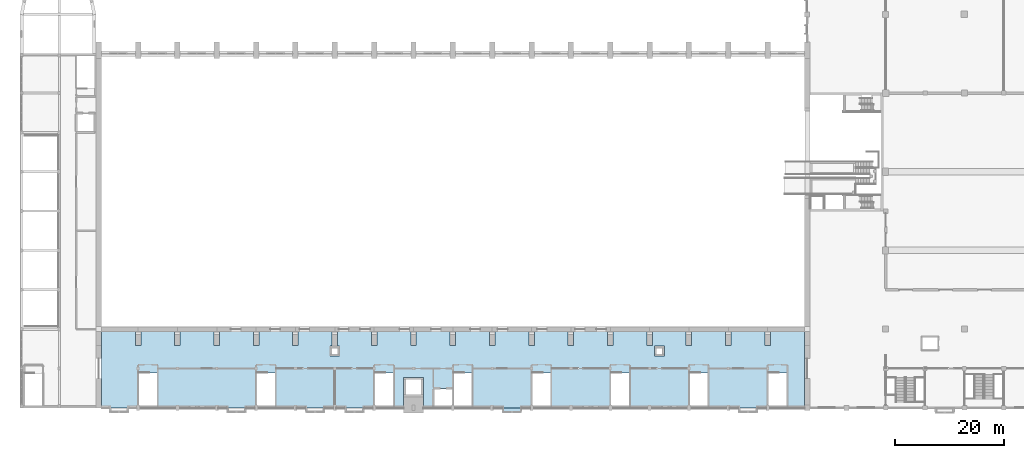
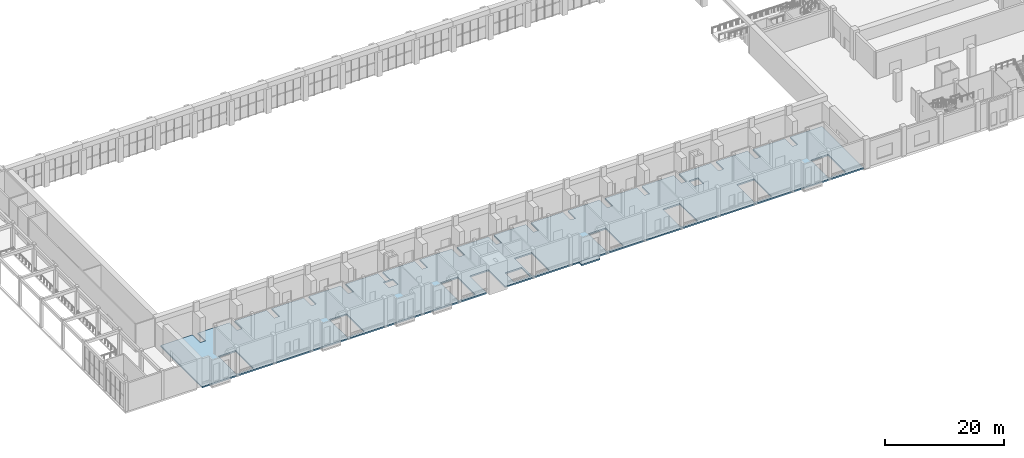
# One storey, part 20 of 44: 2 slabs.
"""IFC4 building model written with IfcOpenShell, lengths in metres."""

from ifc_helpers import new_model, si_unit, direction, frame, origin, place, context, subcontext, project, spatial, polyline, outline, extrude, material, layer, layer_set, type_object, element, save


model = new_model("IFC4")

# Units and contexts
model_context = context("Model", 3, precision=1e-05, world=origin(), true_north=direction((0.0, 1.0)))
body_context = subcontext(model_context, "Body", "Model", "MODEL_VIEW")
ifc_project = project(units=[si_unit("LENGTHUNIT", "METRE"), si_unit("AREAUNIT", "SQUARE_METRE"), si_unit("VOLUMEUNIT", "CUBIC_METRE"), si_unit("PLANEANGLEUNIT", "RADIAN"), si_unit("MASSUNIT", "GRAM", prefix="KILO")], contexts=[model_context])

# Site, building, storey
site_placement = place(None, origin())
site = spatial("IfcSite", under=ifc_project, at=site_placement, CompositionType="ELEMENT")
building_placement = place(site_placement, origin())
building = spatial("IfcBuilding", under=site, at=building_placement, Name="Vermilion Court Aquatics Centre", CompositionType="ELEMENT")
storey_placement = place(building_placement, frame((0.0, 0.0, 6.0)))
storey = spatial("IfcBuildingStorey", under=building, at=storey_placement, Name="L01", CompositionType="ELEMENT", Elevation=6.0)

# Slabs
ifc_material_1 = material(Name="Concrete 5000 psi", Category="concrete")
ifc_layer_1 = layer(ifc_material_1, 0.300048828125)
ifc_layer_set_1 = layer_set([ifc_layer_1], Name="South bay floor slab 300")
slab_type_1 = type_object("IfcSlabType", Name="South bay floor slab 300", PredefinedType="FLOOR", material=ifc_layer_set_1)
slab_1_placement = place(storey_placement, frame((0.0, 0.0, -0.300048828125)))
element("IfcSlab", 1, at=slab_1_placement, inside=storey, type_object=slab_type_1, Name="South oriel floor slab", PredefinedType="FLOOR", context=body_context, shape_type="SweptSolid", body=[
    extrude(outline(polyline([(88.199951171875, -0.89990234375), (91.800048828125, -0.89990234375), (91.800048828125, 0.0), (88.199951171875, 0.0), (88.199951171875, -0.89990234375)])), origin(), (0.0, 0.0, 1.0), 0.300048828125),
])
ifc_material_2 = material(Name="Concrete 5000 psi", Category="concrete")
ifc_layer_2 = layer(ifc_material_2, 0.300048828125)
ifc_layer_set_2 = layer_set([ifc_layer_2], Name="South suspended slab 300")
slab_type_2 = type_object("IfcSlabType", Name="South suspended slab 300", PredefinedType="FLOOR", material=ifc_layer_set_2)
slab_2_placement = place(storey_placement, frame((0.0, 0.0, -0.300048828125)))
element("IfcSlab", 2, at=slab_2_placement, inside=storey, type_object=slab_type_2, Name="Concourse floor slab", PredefinedType="FLOOR", context=body_context, shape_type="SweptSolid", body=[
    extrude(outline(polyline([(14.89990234375, 0.0), (14.89990234375, 14.0), (21.10009765625, 14.0), (21.10009765625, 11.39990234375), (22.10009765625, 11.39990234375), (22.10009765625, 14.0), (28.300048828125, 14.0), (28.300048828125, 11.39990234375), (29.300048828125, 11.39990234375), (29.300048828125, 14.0), (35.5, 14.0), (35.5, 11.39990234375), (36.5, 11.39990234375), (36.5, 14.0), (42.699951171875, 14.0), (42.699951171875, 11.39990234375), (43.699951171875, 11.39990234375), (43.699951171875, 14.0), (49.89990234375, 14.0), (49.89990234375, 11.39990234375), (50.89990234375, 11.39990234375), (50.89990234375, 14.0), (57.10009765625, 14.0), (57.10009765625, 11.39990234375), (58.10009765625, 11.39990234375), (58.10009765625, 14.0), (64.300048828125, 14.0), (64.300048828125, 11.39990234375), (65.300048828125, 11.39990234375), (65.300048828125, 14.0), (71.5, 14.0), (71.5, 11.39990234375), (72.5, 11.39990234375), (72.5, 14.0), (78.699951171875, 14.0), (78.699951171875, 11.39990234375), (79.699951171875, 11.39990234375), (79.699951171875, 14.0), (85.89990234375, 14.0), (85.89990234375, 11.39990234375), (86.89990234375, 11.39990234375), (86.89990234375, 14.0), (93.10009765625, 14.0), (93.10009765625, 11.39990234375), (94.10009765625, 11.39990234375), (94.10009765625, 14.0), (100.300048828125, 14.0), (100.300048828125, 11.39990234375), (101.300048828125, 11.39990234375), (101.300048828125, 14.0), (107.5, 14.0), (107.5, 11.39990234375), (108.5, 11.39990234375), (108.5, 14.0), (114.699951171875, 14.0), (114.699951171875, 11.39990234375), (115.699951171875, 11.39990234375), (115.699951171875, 14.0), (121.89990234375, 14.0), (121.89990234375, 11.39990234375), (122.89990234375, 11.39990234375), (122.89990234375, 14.0), (129.10009765625, 14.0), (129.10009765625, 11.39990234375), (130.10009765625, 11.39990234375), (130.10009765625, 14.0), (136.300048828125, 14.0), (136.300048828125, 11.39990234375), (137.300048828125, 11.39990234375), (137.300048828125, 14.0), (143.5, 14.0), (143.5, 0.0), (73.800048828125, 0.0), (73.800048828125, 5.60009765625), (70.199951171875, 5.60009765625), (70.199951171875, 0.0), (14.89990234375, 0.0)]), holes=[polyline([(21.72509765625, 0.39990234375), (25.074951171875, 0.39990234375), (25.074951171875, 6.35009765625), (21.72509765625, 6.35009765625), (21.72509765625, 0.39990234375)]), polyline([(43.324951171875, 0.39990234375), (46.675048828125, 0.39990234375), (46.675048828125, 6.35009765625), (43.324951171875, 6.35009765625), (43.324951171875, 0.39990234375)]), polyline([(64.925048828125, 0.39990234375), (68.27490234375, 0.39990234375), (68.27490234375, 6.35009765625), (64.925048828125, 6.35009765625), (64.925048828125, 0.39990234375)]), polyline([(79.324951171875, 0.39990234375), (82.675048828125, 0.39990234375), (82.675048828125, 6.35009765625), (79.324951171875, 6.35009765625), (79.324951171875, 0.39990234375)]), polyline([(93.72509765625, 0.39990234375), (97.074951171875, 0.39990234375), (97.074951171875, 6.35009765625), (93.72509765625, 6.35009765625), (93.72509765625, 0.39990234375)]), polyline([(108.125, 0.39990234375), (111.47509765625, 0.39990234375), (111.47509765625, 6.35009765625), (108.125, 6.35009765625), (108.125, 0.39990234375)]), polyline([(122.52490234375, 0.39990234375), (125.875, 0.39990234375), (125.875, 6.35009765625), (122.52490234375, 6.35009765625), (122.52490234375, 0.39990234375)]), polyline([(136.925048828125, 0.39990234375), (140.27490234375, 0.39990234375), (140.27490234375, 6.35009765625), (136.925048828125, 6.35009765625), (136.925048828125, 0.39990234375)]), polyline([(75.77490234375, 0.39990234375), (79.02490234375, 0.39990234375), (79.02490234375, 3.425048828125), (75.77490234375, 3.425048828125), (75.77490234375, 0.39990234375)]), polyline([(56.699951171875, 9.5), (58.5, 9.5), (58.5, 11.300048828125), (56.699951171875, 11.300048828125), (56.699951171875, 9.5)]), polyline([(116.10009765625, 9.5), (117.89990234375, 9.5), (117.89990234375, 11.300048828125), (116.10009765625, 11.300048828125), (116.10009765625, 9.5)])]), origin(), (0.0, 0.0, 1.0), 0.300048828125),
])

save(model, "model.ifc")
